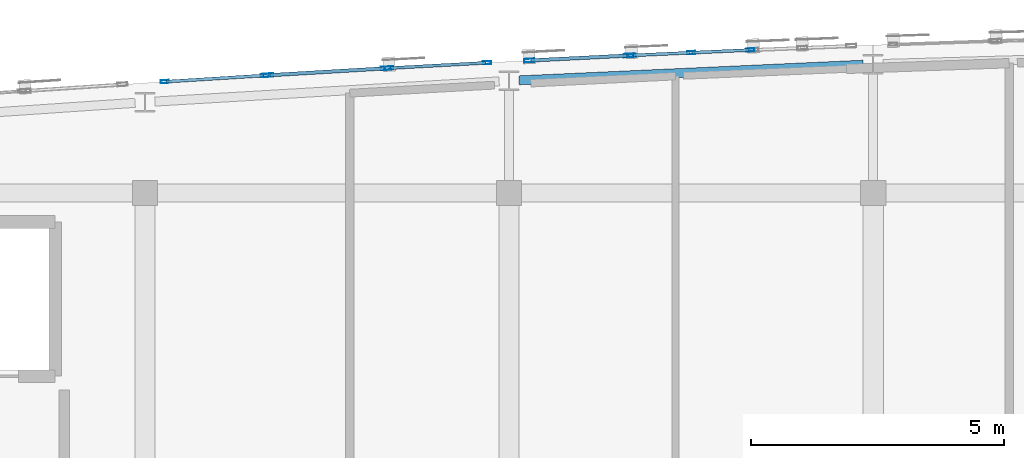
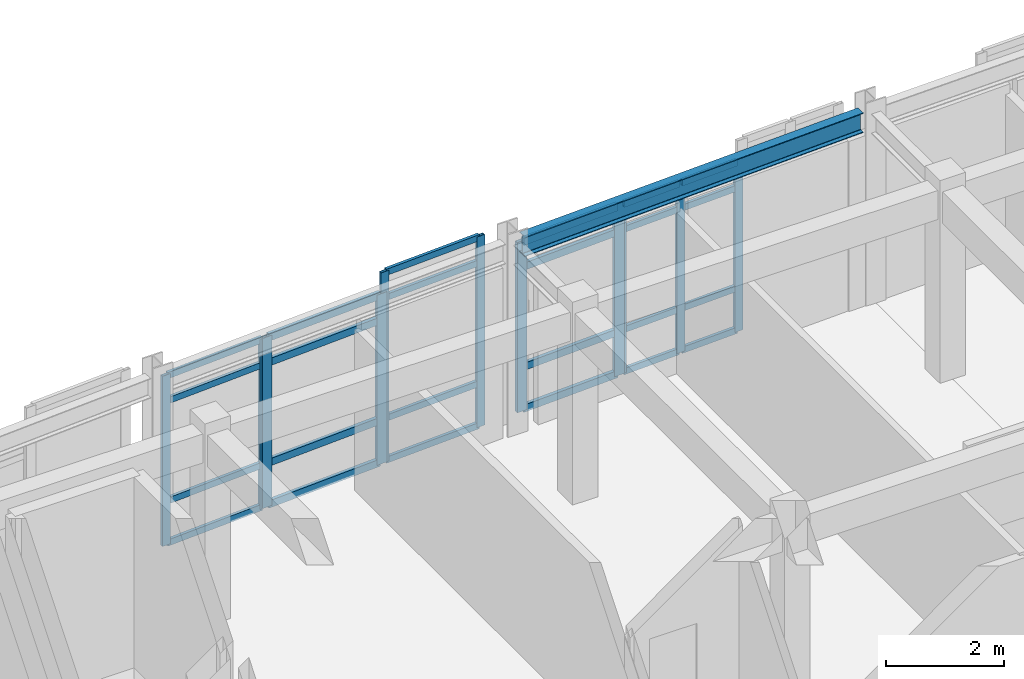
# One storey, part 9 of 24: 35 members, 1 beam, 5 elements without a shape of their own.
"""IFC4 building model written with IfcOpenShell, lengths in metres."""

import ifcopenshell
import ifcopenshell.guid

model = None  # the IFC model being written
_history = None  # IfcOwnerHistory: only IFC2X3 demands one
_inside = {}  # id of a spatial element -> (the spatial element, [elements in it])
_under = {}  # id of a project, library or spatial element -> (it, [spatial elements below it])
_declared = {}  # id of a project -> (the project, [libraries it declares])
_typed = {}  # id of a type object -> (the type object, [elements of that type])
_made_of = {}  # id of a material, layer set ... -> (it, [elements and type objects made of it])


def new_model(schema):
    """Start an empty IFC model of exactly this schema.

    Asked for "IFC4X3", IfcOpenShell would pick the latest addendum, in which some entities
    have other attributes; the version numbers below select the first issue.
    IFC2X3 requires an IfcOwnerHistory on every rooted entity: one is made here for all.
    """
    global model, _history
    if schema == "IFC4X3":
        model = ifcopenshell.file(schema_version=(4, 3, 0, 0))
    else:
        model = ifcopenshell.file(schema=schema)
    _inside.clear()
    _under.clear()
    _declared.clear()
    _typed.clear()
    _made_of.clear()
    _history = None
    if model.schema == "IFC2X3":
        org = make("IfcOrganization", Name="unknown")
        user = make(
            "IfcPersonAndOrganization",
            ThePerson=make("IfcPerson", FamilyName="unknown"),
            TheOrganization=org,
        )
        app = make(
            "IfcApplication",
            ApplicationDeveloper=org,
            Version="unknown",
            ApplicationFullName="unknown",
            ApplicationIdentifier="unknown",
        )
        _history = make(
            "IfcOwnerHistory",
            OwningUser=user,
            OwningApplication=app,
            ChangeAction="ADDED",
            CreationDate=0,
        )
    return model


def make(cls, **values):
    """One entity of the class cls with the attributes given. An attribute that is None is left unset."""
    return model.create_entity(
        cls, **{name: value for name, value in values.items() if value is not None}
    )


def rooted(cls, **values):
    """An entity with a GlobalId (a new one), such as an element, a storey or a relation."""
    return make(cls, GlobalId=ifcopenshell.guid.new(), OwnerHistory=_history, **values)


def si_unit(unit_type, name, prefix=None):
    """IfcSIUnit, for example si_unit("LENGTHUNIT", "METRE", prefix="MILLI")."""
    return make("IfcSIUnit", UnitType=unit_type, Prefix=prefix, Name=name)


def assignment(units):
    """IfcUnitAssignment: the units of a project."""
    return None if units is None else make("IfcUnitAssignment", Units=units)


def point(xyz):
    """IfcCartesianPoint."""
    return None if xyz is None else make("IfcCartesianPoint", Coordinates=xyz)


def direction(xyz):
    """IfcDirection."""
    return None if xyz is None else make("IfcDirection", DirectionRatios=xyz)


def frame(location, z_axis=None, x_axis=None):
    """IfcAxis2Placement3D, a coordinate frame: its origin and axes. An axis left out is left unset."""
    return make(
        "IfcAxis2Placement3D",
        Location=point(location),
        Axis=direction(z_axis),
        RefDirection=direction(x_axis),
    )


def frame_2d(location, x_axis=None):
    """IfcAxis2Placement2D, a coordinate frame in the plane: its origin and x axis."""
    return make(
        "IfcAxis2Placement2D", Location=point(location), RefDirection=direction(x_axis)
    )


def origin():
    """The frame at (0, 0, 0) with its axes left unset."""
    return frame((0.0, 0.0, 0.0))


def origin_2d():
    """The frame at (0, 0) in the plane with its x axis left unset."""
    return frame_2d((0.0, 0.0))


def place(relative_to, where):
    """IfcLocalPlacement: puts the frame where relative to a parent placement (None: the world)."""
    return make(
        "IfcLocalPlacement", PlacementRelTo=relative_to, RelativePlacement=where
    )


def context(
    kind, dimensions, precision=None, world=None, true_north=None, identifier=None
):
    """IfcGeometricRepresentationContext, for example the 3D "Model" context."""
    return make(
        "IfcGeometricRepresentationContext",
        ContextIdentifier=identifier,
        ContextType=kind,
        CoordinateSpaceDimension=dimensions,
        Precision=precision,
        WorldCoordinateSystem=world,
        TrueNorth=true_north,
    )


def subcontext(parent, identifier, kind, view, scale=None):
    """IfcGeometricRepresentationSubContext, for example "Body" below "Model"."""
    return make(
        "IfcGeometricRepresentationSubContext",
        ContextIdentifier=identifier,
        ContextType=kind,
        ParentContext=parent,
        TargetScale=scale,
        TargetView=view,
    )


def project(units=None, contexts=None):
    """IfcProject with its units and contexts."""
    return rooted(
        "IfcProject",
        Name="project",
        RepresentationContexts=contexts,
        UnitsInContext=assignment(units),
    )


def spatial(cls, under=None, at=None, **own):
    """A site, building, storey or space (cls), placed at a placement, below another one or the project."""
    s = rooted(cls, ObjectPlacement=at, **own)
    if under is not None:
        _under.setdefault(under.id(), (under, []))[1].append(s)
    return s


def profile(cls, at=None, kind="AREA", **sizes):
    """A parametric profile (cls). Its sizes go by their IFC names, for example OverallWidth=200.0."""
    return make(cls, ProfileType=kind, Position=at, **sizes)


def hollow_rectangle(**sizes):
    """IfcRectangleHollowProfileDef."""
    return profile("IfcRectangleHollowProfileDef", **sizes)


def i_section(**sizes):
    """IfcIShapeProfileDef."""
    return profile("IfcIShapeProfileDef", **sizes)


def extrude(swept, where, along, depth):
    """IfcExtrudedAreaSolid: the profile swept, set in the frame where, extruded along a direction by depth."""
    return make(
        "IfcExtrudedAreaSolid",
        SweptArea=swept,
        Position=where,
        ExtrudedDirection=direction(along),
        Depth=depth,
    )


def shape(context_of_items, identifier, shape_type, items):
    """IfcShapeRepresentation: the items that make up one representation, for example the "Body"."""
    return make(
        "IfcShapeRepresentation",
        ContextOfItems=context_of_items,
        RepresentationIdentifier=identifier,
        RepresentationType=shape_type,
        Items=items,
    )


def material(Name=None, Category=None):
    """IfcMaterial."""
    return make("IfcMaterial", Name=Name, Category=Category)


def layer(
    of_material, thickness, ventilated=None, Name=None, Category=None, Priority=None
):
    """IfcMaterialLayer: one layer of a wall or slab, of a material (None: an air gap)."""
    return make(
        "IfcMaterialLayer",
        Material=of_material,
        LayerThickness=thickness,
        IsVentilated=ventilated,
        Name=Name,
        Category=Category,
        Priority=Priority,
    )


def layer_set(layers, Name=None):
    """IfcMaterialLayerSet."""
    return make("IfcMaterialLayerSet", MaterialLayers=layers, LayerSetName=Name)


def material_profile(
    of_material, cross_section, Name=None, Category=None, Priority=None
):
    """IfcMaterialProfile: a cross section and its material."""
    return make(
        "IfcMaterialProfile",
        Name=Name,
        Material=of_material,
        Profile=cross_section,
        Priority=Priority,
        Category=Category,
    )


def profile_set(profiles, Name=None, composite=None):
    """IfcMaterialProfileSet."""
    return make(
        "IfcMaterialProfileSet",
        Name=Name,
        MaterialProfiles=profiles,
        CompositeProfile=composite,
    )


def made_of(thing, what):
    """Note that an element or type object is made of a material, layer set ...; save() writes the relation."""
    if what is not None:
        _made_of.setdefault(what.id(), (what, []))[1].append(thing)
    return thing


def type_object(cls, material=None, **own):
    """A type object (cls), such as IfcWallType, which elements share."""
    return made_of(rooted(cls, **own), material)


def element(
    cls,
    number,
    at=None,
    inside=None,
    cuts=None,
    type_object=None,
    material=None,
    context=None,
    identifier="Body",
    shape_type=None,
    held_by="IfcProductDefinitionShape",
    body=None,
    shapes=None,
    **own,
):
    """One element of the class cls, such as IfcWall. Its Tag is "e" and its number.

    at: its placement. inside: the storey or other place that contains it. cuts: it is an
    opening in that element (IfcRelVoidsElement). A single representation is given by context,
    identifier, shape_type and body (its items); several are given by shapes. held_by: the class
    of the entity that holds the representations. save() writes the other relations.
    """
    e = rooted(cls, Tag="e%d" % number, ObjectPlacement=at, **own)
    if body is not None:
        shapes = [shape(context, identifier, shape_type, body)]
    if shapes is not None:
        e.Representation = make(held_by, Representations=shapes)
    if inside is not None:
        _inside.setdefault(inside.id(), (inside, []))[1].append(e)
    if cuts is not None:
        rooted(
            "IfcRelVoidsElement", RelatingBuildingElement=cuts, RelatedOpeningElement=e
        )
    if type_object is not None:
        _typed.setdefault(type_object.id(), (type_object, []))[1].append(e)
    return made_of(e, material)


def aggregate(whole, parts):
    """IfcRelAggregates: a whole, such as a stair, and the parts it consists of."""
    return rooted("IfcRelAggregates", RelatingObject=whole, RelatedObjects=parts)


def save(model, path):
    """Write the relations noted so far, then the file.

    IfcRelAggregates (storeys below a building ...), IfcRelContainedInSpatialStructure (elements
    in a storey), IfcRelDefinesByType, IfcRelAssociatesMaterial and IfcRelDeclares: one each for
    every whole, place, type object, material and project.
    """
    for whole, parts in _under.values():
        aggregate(whole, parts)
    for where, things in _inside.values():
        rooted(
            "IfcRelContainedInSpatialStructure",
            RelatedElements=things,
            RelatingStructure=where,
        )
    for kind, things in _typed.values():
        rooted("IfcRelDefinesByType", RelatedObjects=things, RelatingType=kind)
    for what, things in _made_of.values():
        rooted("IfcRelAssociatesMaterial", RelatedObjects=things, RelatingMaterial=what)
    for by, libraries in _declared.values():
        rooted("IfcRelDeclares", RelatingContext=by, RelatedDefinitions=libraries)
    model.write(path)


model = new_model("IFC4")

# Units and contexts
model_context = context("Model", 3, precision=1e-05, world=origin(), true_north=direction((0.0, 1.0)))
body_context = subcontext(model_context, "Body", "Model", "MODEL_VIEW")
ifc_project = project(units=[si_unit("LENGTHUNIT", "METRE"), si_unit("AREAUNIT", "SQUARE_METRE"), si_unit("VOLUMEUNIT", "CUBIC_METRE"), si_unit("PLANEANGLEUNIT", "RADIAN"), si_unit("MASSUNIT", "GRAM", prefix="KILO")], contexts=[model_context])

# Site, building, storey
site_placement = place(None, origin())
site = spatial("IfcSite", under=ifc_project, at=site_placement, CompositionType="ELEMENT")
building_placement = place(site_placement, origin())
building = spatial("IfcBuilding", under=site, at=building_placement, Name="Carrowvane Square Congress Hotel", CompositionType="ELEMENT")
storey_placement = place(building_placement, frame((0.0, 0.0, 44.39990234375)))
storey = spatial("IfcBuildingStorey", under=building, at=storey_placement, Name="L11", CompositionType="ELEMENT", Elevation=44.39990234375)

# Beam
ifc_material_1 = material(Name="Steel S355", Category="steel")
ifc_material_profile_1 = material_profile(ifc_material_1, i_section(OverallWidth=0.1787109375, OverallDepth=0.409423828125, WebThickness=0.0087890625, FlangeThickness=0.014404296875, FilletRadius=0.01025390625, at=origin_2d()), Name="UKB 406x178x67")
ifc_profile_set_1 = profile_set([ifc_material_profile_1], Name="Steel S355")
beam_type = type_object("IfcBeamType", Name="BM-ST-UKB406", PredefinedType="BEAM", material=ifc_profile_set_1)
beam_placement = place(storey_placement, frame((76.59716796875, 115.62646484375, 3.745361328125), z_axis=(0.99897355857, 0.045297122185, 0.0), x_axis=(-0.045297122185, 0.99897355857, 0.0)))
element("IfcBeam", 1, at=beam_placement, inside=storey, type_object=beam_type, Name="RF curved north spandrel", PredefinedType="BEAM", context=body_context, shape_type="SweptSolid", body=[
    extrude(i_section(OverallWidth=0.1787109375, OverallDepth=0.409423828125, WebThickness=0.0087890625, FlangeThickness=0.014404296875, FilletRadius=0.01025390625, at=origin_2d()), origin(), (0.0, 0.0, 1.0), 6.812744140625),
])

# Curtain wall, members
ifc_material_2 = material(Name="Anodised aluminium", Category="aluminium")
ifc_layer_1 = layer(ifc_material_2, 0.18603515625)
ifc_layer_set_1 = layer_set([ifc_layer_1], Name="Anodised aluminium")
curtain_wall_type_1 = type_object("IfcCurtainWallType", Name="CW-SYS-3", PredefinedType="NOTDEFINED", material=ifc_layer_set_1)
curtain_wall_1_placement = place(storey_placement, origin())
curtain_wall_1 = element("IfcCurtainWall", 2, at=curtain_wall_1_placement, inside=storey, type_object=curtain_wall_type_1, Name="L11 unitised curtain wall 594", PredefinedType="NOTDEFINED")
ifc_material_3 = material(Name="Anodised aluminium", Category="aluminium")
ifc_material_profile_2 = material_profile(ifc_material_3, hollow_rectangle(XDim=0.06005859375, YDim=0.159912109375, WallThickness=0.00390625, at=origin_2d()), Name="CW-ML 60x160x4")
ifc_profile_set_2 = profile_set([ifc_material_profile_2], Name="Anodised aluminium")
member_type_1 = type_object("IfcMemberType", Name="CW-MUL-1", PredefinedType="MULLION", material=ifc_profile_set_2)
member_1_placement = place(storey_placement, frame((69.58984375, 115.5986328125, 0.0), z_axis=(0.0, 0.0, 1.0), x_axis=(-0.062397474952, 0.998051378998, 0.0)))
member_1 = element("IfcMember", 3, at=member_1_placement, type_object=member_type_1, Name="CW-3 mullion 1", PredefinedType="MULLION", context=body_context, shape_type="SweptSolid", body=[
    extrude(hollow_rectangle(XDim=0.06005859375, YDim=0.159912109375, WallThickness=0.00390625, at=origin_2d()), origin(), (0.0, 0.0, 1.0), 3.525634765625),
])
member_2_placement = place(storey_placement, frame((71.570068359375, 115.722412109375, 0.0), z_axis=(0.0, 0.0, 1.0), x_axis=(-0.062397474952, 0.998051378998, 0.0)))
member_2 = element("IfcMember", 4, at=member_2_placement, type_object=member_type_1, Name="CW-3 mullion 2", PredefinedType="MULLION", context=body_context, shape_type="SweptSolid", body=[
    extrude(hollow_rectangle(XDim=0.06005859375, YDim=0.159912109375, WallThickness=0.00390625, at=origin_2d()), origin(), (0.0, 0.0, 1.0), 3.525634765625),
])

ifc_material_4 = material(Name="Anodised aluminium", Category="aluminium")
ifc_layer_2 = layer(ifc_material_4, 0.2099609375)
ifc_layer_set_2 = layer_set([ifc_layer_2], Name="Anodised aluminium")
curtain_wall_type_2 = type_object("IfcCurtainWallType", Name="CW-SYS-5", PredefinedType="NOTDEFINED", material=ifc_layer_set_2)
curtain_wall_2_placement = place(storey_placement, origin())
curtain_wall_2 = element("IfcCurtainWall", 5, at=curtain_wall_2_placement, inside=storey, type_object=curtain_wall_type_2, Name="L11 unitised curtain wall 596", PredefinedType="NOTDEFINED")
member_3_placement = place(storey_placement, frame((74.030029296875, 115.867431640625, 0.0), z_axis=(0.0, 0.0, 1.0), x_axis=(-0.054815980317, 0.998496473856, 0.0)))
member_3 = element("IfcMember", 6, at=member_3_placement, type_object=member_type_1, Name="CW-5 mullion 1", PredefinedType="MULLION", context=body_context, shape_type="SweptSolid", body=[
    extrude(hollow_rectangle(XDim=0.06005859375, YDim=0.159912109375, WallThickness=0.00390625, at=origin_2d()), origin(), (0.0, 0.0, 1.0), 3.9501953125),
])
member_4_placement = place(storey_placement, frame((75.965576171875, 115.9736328125, 0.0), z_axis=(0.0, 0.0, 1.0), x_axis=(-0.054815980317, 0.998496473856, 0.0)))
member_4 = element("IfcMember", 7, at=member_4_placement, type_object=member_type_1, Name="CW-5 mullion 2", PredefinedType="MULLION", context=body_context, shape_type="SweptSolid", body=[
    extrude(hollow_rectangle(XDim=0.06005859375, YDim=0.159912109375, WallThickness=0.00390625, at=origin_2d()), origin(), (0.0, 0.0, 1.0), 3.9501953125),
])

ifc_material_5 = material(Name="Anodised aluminium", Category="aluminium")
ifc_layer_3 = layer(ifc_material_5, 0.23388671875)
ifc_layer_set_3 = layer_set([ifc_layer_3], Name="Anodised aluminium")
curtain_wall_type_3 = type_object("IfcCurtainWallType", Name="CW-SYS-7", PredefinedType="NOTDEFINED", material=ifc_layer_set_3)
curtain_wall_3_placement = place(storey_placement, origin())
curtain_wall_3 = element("IfcCurtainWall", 8, at=curtain_wall_3_placement, inside=storey, type_object=curtain_wall_type_3, Name="L11 unitised curtain wall 598", PredefinedType="NOTDEFINED")
member_5_placement = place(storey_placement, frame((78.830078125, 116.119873046875, 0.0), z_axis=(0.0, 0.0, 1.0), x_axis=(-0.045411059449, 0.998968385726, 0.0)))
member_5 = element("IfcMember", 9, at=member_5_placement, type_object=member_type_1, Name="CW-7 mullion 1", PredefinedType="MULLION", context=body_context, shape_type="SweptSolid", body=[
    extrude(hollow_rectangle(XDim=0.06005859375, YDim=0.159912109375, WallThickness=0.00390625, at=origin_2d()), origin(), (0.0, 0.0, 1.0), 3.525634765625),
])
member_6_placement = place(storey_placement, frame((80.0, 116.173095703125, 0.0), z_axis=(0.0, 0.0, 1.0), x_axis=(-0.045411059449, 0.998968385726, 0.0)))
member_6 = element("IfcMember", 10, at=member_6_placement, type_object=member_type_1, Name="CW-7 mullion 2", PredefinedType="MULLION", context=body_context, shape_type="SweptSolid", body=[
    extrude(hollow_rectangle(XDim=0.06005859375, YDim=0.159912109375, WallThickness=0.00390625, at=origin_2d()), origin(), (0.0, 0.0, 1.0), 3.525634765625),
])
member_7_placement = place(storey_placement, frame((81.170166015625, 116.226318359375, 0.0), z_axis=(0.0, 0.0, 1.0), x_axis=(-0.045411059449, 0.998968385726, 0.0)))
member_7 = element("IfcMember", 11, at=member_7_placement, type_object=member_type_1, Name="CW-7 mullion 3", PredefinedType="MULLION", context=body_context, shape_type="SweptSolid", body=[
    extrude(hollow_rectangle(XDim=0.06005859375, YDim=0.159912109375, WallThickness=0.00390625, at=origin_2d()), origin(), (0.0, 0.0, 1.0), 3.525634765625),
])

ifc_material_6 = material(Name="Anodised aluminium", Category="aluminium")
ifc_layer_4 = layer(ifc_material_6, 0.197998046875)
ifc_layer_set_4 = layer_set([ifc_layer_4], Name="Anodised aluminium")
curtain_wall_type_4 = type_object("IfcCurtainWallType", Name="CW-SYS-4", PredefinedType="NOTDEFINED", material=ifc_layer_set_4)
curtain_wall_4_placement = place(storey_placement, origin())
curtain_wall_4 = element("IfcCurtainWall", 12, at=curtain_wall_4_placement, inside=storey, type_object=curtain_wall_type_4, Name="L11 unitised curtain wall 595", PredefinedType="NOTDEFINED")
ifc_material_7 = material(Name="Anodised aluminium", Category="aluminium")
ifc_material_profile_3 = material_profile(ifc_material_7, hollow_rectangle(XDim=0.070068359375, YDim=0.199951171875, WallThickness=0.0048828125, at=origin_2d()), Name="CW-ML 70x200x5")
ifc_profile_set_3 = profile_set([ifc_material_profile_3], Name="Anodised aluminium")
member_type_2 = type_object("IfcMemberType", Name="CW-MUL-2", PredefinedType="MULLION", material=ifc_profile_set_3)
member_8_placement = place(storey_placement, frame((71.635009765625, 115.726318359375, 0.0), z_axis=(0.0, 0.0, 1.0), x_axis=(-0.058851249486, 0.998266763162, 0.0)))
member_8 = element("IfcMember", 13, at=member_8_placement, type_object=member_type_2, Name="CW-4 mullion 1", PredefinedType="MULLION", context=body_context, shape_type="SweptSolid", body=[
    extrude(hollow_rectangle(XDim=0.070068359375, YDim=0.199951171875, WallThickness=0.0048828125, at=origin_2d()), origin(), (0.0, 0.0, 1.0), 3.525634765625),
])
member_9_placement = place(storey_placement, frame((73.965087890625, 115.86376953125, 0.0), z_axis=(0.0, 0.0, 1.0), x_axis=(-0.058851249486, 0.998266763162, 0.0)))
member_9 = element("IfcMember", 14, at=member_9_placement, type_object=member_type_2, Name="CW-4 mullion 2", PredefinedType="MULLION", context=body_context, shape_type="SweptSolid", body=[
    extrude(hollow_rectangle(XDim=0.070068359375, YDim=0.199951171875, WallThickness=0.0048828125, at=origin_2d()), origin(), (0.0, 0.0, 1.0), 3.525634765625),
])

ifc_material_8 = material(Name="Anodised aluminium", Category="aluminium")
ifc_layer_5 = layer(ifc_material_8, 0.221923828125)
ifc_layer_set_5 = layer_set([ifc_layer_5], Name="Anodised aluminium")
curtain_wall_type_5 = type_object("IfcCurtainWallType", Name="CW-SYS-6", PredefinedType="NOTDEFINED", material=ifc_layer_set_5)
curtain_wall_5_placement = place(storey_placement, origin())
curtain_wall_5 = element("IfcCurtainWall", 15, at=curtain_wall_5_placement, inside=storey, type_object=curtain_wall_type_5, Name="L11 unitised curtain wall 597", PredefinedType="NOTDEFINED")
member_10_placement = place(storey_placement, frame((76.799560546875, 116.017822265625, 0.0), z_axis=(0.0, 0.0, 1.0), x_axis=(-0.050323791596, 0.998732955299, 0.0)))
member_10 = element("IfcMember", 16, at=member_10_placement, type_object=member_type_2, Name="CW-6 mullion 1", PredefinedType="MULLION", context=body_context, shape_type="SweptSolid", body=[
    extrude(hollow_rectangle(XDim=0.070068359375, YDim=0.199951171875, WallThickness=0.0048828125, at=origin_2d()), origin(), (0.0, 0.0, 1.0), 3.525634765625),
])
member_11_placement = place(storey_placement, frame((78.764892578125, 116.11669921875, 0.0), z_axis=(0.0, 0.0, 1.0), x_axis=(-0.050323791596, 0.998732955299, 0.0)))
member_11 = element("IfcMember", 17, at=member_11_placement, type_object=member_type_2, Name="CW-6 mullion 2", PredefinedType="MULLION", context=body_context, shape_type="SweptSolid", body=[
    extrude(hollow_rectangle(XDim=0.070068359375, YDim=0.199951171875, WallThickness=0.0048828125, at=origin_2d()), origin(), (0.0, 0.0, 1.0), 3.525634765625),
])

# Member
ifc_material_9 = material(Name="Anodised aluminium", Category="aluminium")
ifc_material_profile_4 = material_profile(ifc_material_9, hollow_rectangle(XDim=0.06005859375, YDim=0.1298828125, WallThickness=0.00390625, at=origin_2d()), Name="CW-TR 60x130x4")
ifc_profile_set_4 = profile_set([ifc_material_profile_4], Name="Anodised aluminium")
member_type_3 = type_object("IfcMemberType", Name="CW-TRN-1", PredefinedType="USERDEFINED", material=ifc_profile_set_4)
member_12_placement = place(storey_placement, frame((69.619873046875, 115.6005859375, 0.030029296875), z_axis=(0.998049120598, 0.062433587709, 0.0), x_axis=(-0.062433587709, 0.998049120598, 0.0)))
member_12 = element("IfcMember", 18, at=member_12_placement, type_object=member_type_3, Name="CW-3 transom 1.1", ObjectType="TRANSOM", PredefinedType="USERDEFINED", context=body_context, shape_type="SweptSolid", body=[
    extrude(hollow_rectangle(XDim=0.06005859375, YDim=0.1298828125, WallThickness=0.00390625, at=origin_2d()), origin(), (0.0, 0.0, 1.0), 1.923828125),
])

member_13_placement = place(storey_placement, frame((69.619873046875, 115.6005859375, 0.900146484375), z_axis=(0.998049120598, 0.062433587709, 0.0), x_axis=(-0.062433587709, 0.998049120598, 0.0)))
member_13 = element("IfcMember", 19, at=member_13_placement, type_object=member_type_3, Name="CW-3 transom 1.2", ObjectType="TRANSOM", PredefinedType="USERDEFINED", context=body_context, shape_type="SweptSolid", body=[
    extrude(hollow_rectangle(XDim=0.06005859375, YDim=0.1298828125, WallThickness=0.00390625, at=origin_2d()), origin(), (0.0, 0.0, 1.0), 1.923828125),
])

member_14_placement = place(storey_placement, frame((69.619873046875, 115.6005859375, 2.9755859375), z_axis=(0.998049120598, 0.062433587709, 0.0), x_axis=(-0.062433587709, 0.998049120598, 0.0)))
member_14 = element("IfcMember", 20, at=member_14_placement, type_object=member_type_3, Name="CW-3 transom 1.3", ObjectType="TRANSOM", PredefinedType="USERDEFINED", context=body_context, shape_type="SweptSolid", body=[
    extrude(hollow_rectangle(XDim=0.06005859375, YDim=0.1298828125, WallThickness=0.00390625, at=origin_2d()), origin(), (0.0, 0.0, 1.0), 1.923828125),
])

member_15_placement = place(storey_placement, frame((69.619873046875, 115.6005859375, 3.49560546875), z_axis=(0.998049120598, 0.062433587709, 0.0), x_axis=(-0.062433587709, 0.998049120598, 0.0)))
member_15 = element("IfcMember", 21, at=member_15_placement, type_object=member_type_3, Name="CW-3 transom 1.4", ObjectType="TRANSOM", PredefinedType="USERDEFINED", context=body_context, shape_type="SweptSolid", body=[
    extrude(hollow_rectangle(XDim=0.06005859375, YDim=0.1298828125, WallThickness=0.00390625, at=origin_2d()), origin(), (0.0, 0.0, 1.0), 1.923828125),
])

aggregate(curtain_wall_1, [member_1, member_2, member_12, member_13, member_14, member_15])

member_16_placement = place(storey_placement, frame((74.059814453125, 115.869140625, 0.030029296875), z_axis=(0.99849494655, 0.054843793758, 0.0), x_axis=(-0.054843793758, 0.99849494655, 0.0)))
member_16 = element("IfcMember", 22, at=member_16_placement, type_object=member_type_3, Name="CW-5 transom 1.1", ObjectType="TRANSOM", PredefinedType="USERDEFINED", context=body_context, shape_type="SweptSolid", body=[
    extrude(hollow_rectangle(XDim=0.06005859375, YDim=0.1298828125, WallThickness=0.00390625, at=origin_2d()), origin(), (0.0, 0.0, 1.0), 1.878662109375),
])

member_17_placement = place(storey_placement, frame((74.059814453125, 115.869140625, 0.900146484375), z_axis=(0.99849494655, 0.054843793758, 0.0), x_axis=(-0.054843793758, 0.99849494655, 0.0)))
member_17 = element("IfcMember", 23, at=member_17_placement, type_object=member_type_3, Name="CW-5 transom 1.2", ObjectType="TRANSOM", PredefinedType="USERDEFINED", context=body_context, shape_type="SweptSolid", body=[
    extrude(hollow_rectangle(XDim=0.06005859375, YDim=0.1298828125, WallThickness=0.00390625, at=origin_2d()), origin(), (0.0, 0.0, 1.0), 1.878662109375),
])

member_18_placement = place(storey_placement, frame((74.059814453125, 115.869140625, 3.400146484375), z_axis=(0.99849494655, 0.054843793758, 0.0), x_axis=(-0.054843793758, 0.99849494655, 0.0)))
member_18 = element("IfcMember", 24, at=member_18_placement, type_object=member_type_3, Name="CW-5 transom 1.3", ObjectType="TRANSOM", PredefinedType="USERDEFINED", context=body_context, shape_type="SweptSolid", body=[
    extrude(hollow_rectangle(XDim=0.06005859375, YDim=0.1298828125, WallThickness=0.00390625, at=origin_2d()), origin(), (0.0, 0.0, 1.0), 1.878662109375),
])

member_19_placement = place(storey_placement, frame((74.059814453125, 115.869140625, 3.920166015625), z_axis=(0.99849494655, 0.054843793758, 0.0), x_axis=(-0.054843793758, 0.99849494655, 0.0)))
member_19 = element("IfcMember", 25, at=member_19_placement, type_object=member_type_3, Name="CW-5 transom 1.4", ObjectType="TRANSOM", PredefinedType="USERDEFINED", context=body_context, shape_type="SweptSolid", body=[
    extrude(hollow_rectangle(XDim=0.06005859375, YDim=0.1298828125, WallThickness=0.00390625, at=origin_2d()), origin(), (0.0, 0.0, 1.0), 1.878662109375),
])

aggregate(curtain_wall_2, [member_3, member_4, member_16, member_17, member_18, member_19])

member_20_placement = place(storey_placement, frame((78.85986328125, 116.121337890625, 0.030029296875), z_axis=(0.998975323867, 0.045258173899, 0.0), x_axis=(-0.045258173899, 0.998975323867, 0.0)))
member_20 = element("IfcMember", 26, at=member_20_placement, type_object=member_type_3, Name="CW-7 transom 1.1", ObjectType="TRANSOM", PredefinedType="USERDEFINED", context=body_context, shape_type="SweptSolid", body=[
    extrude(hollow_rectangle(XDim=0.06005859375, YDim=0.1298828125, WallThickness=0.00390625, at=origin_2d()), origin(), (0.0, 0.0, 1.0), 1.111328125),
])

member_21_placement = place(storey_placement, frame((78.85986328125, 116.121337890625, 0.900146484375), z_axis=(0.998975323867, 0.045258173899, 0.0), x_axis=(-0.045258173899, 0.998975323867, 0.0)))
member_21 = element("IfcMember", 27, at=member_21_placement, type_object=member_type_3, Name="CW-7 transom 1.2", ObjectType="TRANSOM", PredefinedType="USERDEFINED", context=body_context, shape_type="SweptSolid", body=[
    extrude(hollow_rectangle(XDim=0.06005859375, YDim=0.1298828125, WallThickness=0.00390625, at=origin_2d()), origin(), (0.0, 0.0, 1.0), 1.111328125),
])

member_22_placement = place(storey_placement, frame((78.85986328125, 116.121337890625, 2.9755859375), z_axis=(0.998975323867, 0.045258173899, 0.0), x_axis=(-0.045258173899, 0.998975323867, 0.0)))
member_22 = element("IfcMember", 28, at=member_22_placement, type_object=member_type_3, Name="CW-7 transom 1.3", ObjectType="TRANSOM", PredefinedType="USERDEFINED", context=body_context, shape_type="SweptSolid", body=[
    extrude(hollow_rectangle(XDim=0.06005859375, YDim=0.1298828125, WallThickness=0.00390625, at=origin_2d()), origin(), (0.0, 0.0, 1.0), 1.111328125),
])

member_23_placement = place(storey_placement, frame((78.85986328125, 116.121337890625, 3.49560546875), z_axis=(0.998975323867, 0.045258173899, 0.0), x_axis=(-0.045258173899, 0.998975323867, 0.0)))
member_23 = element("IfcMember", 29, at=member_23_placement, type_object=member_type_3, Name="CW-7 transom 1.4", ObjectType="TRANSOM", PredefinedType="USERDEFINED", context=body_context, shape_type="SweptSolid", body=[
    extrude(hollow_rectangle(XDim=0.06005859375, YDim=0.1298828125, WallThickness=0.00390625, at=origin_2d()), origin(), (0.0, 0.0, 1.0), 1.111328125),
])

member_24_placement = place(storey_placement, frame((80.030029296875, 116.17431640625, 0.030029296875), z_axis=(0.99896536688, 0.045477420485, 0.0), x_axis=(-0.045477420485, 0.99896536688, 0.0)))
member_24 = element("IfcMember", 30, at=member_24_placement, type_object=member_type_3, Name="CW-7 transom 2.1", ObjectType="TRANSOM", PredefinedType="USERDEFINED", context=body_context, shape_type="SweptSolid", body=[
    extrude(hollow_rectangle(XDim=0.06005859375, YDim=0.1298828125, WallThickness=0.00390625, at=origin_2d()), origin(), (0.0, 0.0, 1.0), 1.111328125),
])

member_25_placement = place(storey_placement, frame((80.030029296875, 116.17431640625, 0.900146484375), z_axis=(0.99896536688, 0.045477420485, 0.0), x_axis=(-0.045477420485, 0.99896536688, 0.0)))
member_25 = element("IfcMember", 31, at=member_25_placement, type_object=member_type_3, Name="CW-7 transom 2.2", ObjectType="TRANSOM", PredefinedType="USERDEFINED", context=body_context, shape_type="SweptSolid", body=[
    extrude(hollow_rectangle(XDim=0.06005859375, YDim=0.1298828125, WallThickness=0.00390625, at=origin_2d()), origin(), (0.0, 0.0, 1.0), 1.111328125),
])

member_26_placement = place(storey_placement, frame((80.030029296875, 116.17431640625, 2.9755859375), z_axis=(0.99896536688, 0.045477420485, 0.0), x_axis=(-0.045477420485, 0.99896536688, 0.0)))
member_26 = element("IfcMember", 32, at=member_26_placement, type_object=member_type_3, Name="CW-7 transom 2.3", ObjectType="TRANSOM", PredefinedType="USERDEFINED", context=body_context, shape_type="SweptSolid", body=[
    extrude(hollow_rectangle(XDim=0.06005859375, YDim=0.1298828125, WallThickness=0.00390625, at=origin_2d()), origin(), (0.0, 0.0, 1.0), 1.111328125),
])

member_27_placement = place(storey_placement, frame((80.030029296875, 116.17431640625, 3.49560546875), z_axis=(0.99896536688, 0.045477420485, 0.0), x_axis=(-0.045477420485, 0.99896536688, 0.0)))
member_27 = element("IfcMember", 33, at=member_27_placement, type_object=member_type_3, Name="CW-7 transom 2.4", ObjectType="TRANSOM", PredefinedType="USERDEFINED", context=body_context, shape_type="SweptSolid", body=[
    extrude(hollow_rectangle(XDim=0.06005859375, YDim=0.1298828125, WallThickness=0.00390625, at=origin_2d()), origin(), (0.0, 0.0, 1.0), 1.111328125),
])

aggregate(curtain_wall_3, [member_5, member_6, member_7, member_20, member_21, member_22, member_23, member_24, member_25, member_26, member_27])

ifc_material_10 = material(Name="Anodised aluminium", Category="aluminium")
ifc_material_profile_5 = material_profile(ifc_material_10, hollow_rectangle(XDim=0.070068359375, YDim=0.14990234375, WallThickness=0.0048828125, at=origin_2d()), Name="CW-TR 70x150x5")
ifc_profile_set_5 = profile_set([ifc_material_profile_5], Name="Anodised aluminium")
member_type_4 = type_object("IfcMemberType", Name="CW-TRN-2", PredefinedType="USERDEFINED", material=ifc_profile_set_5)
member_28_placement = place(storey_placement, frame((71.669921875, 115.728515625, 0.03515625), z_axis=(0.998265438007, 0.058873723175, 0.0), x_axis=(-0.058873723175, 0.998265438007, 0.0)))
member_28 = element("IfcMember", 34, at=member_28_placement, type_object=member_type_4, Name="CW-4 transom 1.1", ObjectType="TRANSOM", PredefinedType="USERDEFINED", context=body_context, shape_type="SweptSolid", body=[
    extrude(hollow_rectangle(XDim=0.070068359375, YDim=0.14990234375, WallThickness=0.0048828125, at=origin_2d()), origin(), (0.0, 0.0, 1.0), 2.26416015625),
])

member_29_placement = place(storey_placement, frame((71.669921875, 115.728515625, 0.900146484375), z_axis=(0.998265438007, 0.058873723175, 0.0), x_axis=(-0.058873723175, 0.998265438007, 0.0)))
member_29 = element("IfcMember", 35, at=member_29_placement, type_object=member_type_4, Name="CW-4 transom 1.2", ObjectType="TRANSOM", PredefinedType="USERDEFINED", context=body_context, shape_type="SweptSolid", body=[
    extrude(hollow_rectangle(XDim=0.070068359375, YDim=0.14990234375, WallThickness=0.0048828125, at=origin_2d()), origin(), (0.0, 0.0, 1.0), 2.26416015625),
])

member_30_placement = place(storey_placement, frame((71.669921875, 115.728515625, 2.9755859375), z_axis=(0.998265438007, 0.058873723175, 0.0), x_axis=(-0.058873723175, 0.998265438007, 0.0)))
member_30 = element("IfcMember", 36, at=member_30_placement, type_object=member_type_4, Name="CW-4 transom 1.3", ObjectType="TRANSOM", PredefinedType="USERDEFINED", context=body_context, shape_type="SweptSolid", body=[
    extrude(hollow_rectangle(XDim=0.070068359375, YDim=0.14990234375, WallThickness=0.0048828125, at=origin_2d()), origin(), (0.0, 0.0, 1.0), 2.26416015625),
])

member_31_placement = place(storey_placement, frame((71.669921875, 115.728515625, 3.49072265625), z_axis=(0.998265438007, 0.058873723175, 0.0), x_axis=(-0.058873723175, 0.998265438007, 0.0)))
member_31 = element("IfcMember", 37, at=member_31_placement, type_object=member_type_4, Name="CW-4 transom 1.4", ObjectType="TRANSOM", PredefinedType="USERDEFINED", context=body_context, shape_type="SweptSolid", body=[
    extrude(hollow_rectangle(XDim=0.070068359375, YDim=0.14990234375, WallThickness=0.0048828125, at=origin_2d()), origin(), (0.0, 0.0, 1.0), 2.26416015625),
])

aggregate(curtain_wall_4, [member_8, member_9, member_28, member_29, member_30, member_31])

member_32_placement = place(storey_placement, frame((76.83447265625, 116.01953125, 0.03515625), z_axis=(0.998734310046, 0.050296897891, 0.0), x_axis=(-0.050296897891, 0.998734310046, 0.0)))
member_32 = element("IfcMember", 38, at=member_32_placement, type_object=member_type_4, Name="CW-6 transom 1.1", ObjectType="TRANSOM", PredefinedType="USERDEFINED", context=body_context, shape_type="SweptSolid", body=[
    extrude(hollow_rectangle(XDim=0.070068359375, YDim=0.14990234375, WallThickness=0.0048828125, at=origin_2d()), origin(), (0.0, 0.0, 1.0), 1.89794921875),
])

member_33_placement = place(storey_placement, frame((76.83447265625, 116.01953125, 0.900146484375), z_axis=(0.998734310046, 0.050296897891, 0.0), x_axis=(-0.050296897891, 0.998734310046, 0.0)))
member_33 = element("IfcMember", 39, at=member_33_placement, type_object=member_type_4, Name="CW-6 transom 1.2", ObjectType="TRANSOM", PredefinedType="USERDEFINED", context=body_context, shape_type="SweptSolid", body=[
    extrude(hollow_rectangle(XDim=0.070068359375, YDim=0.14990234375, WallThickness=0.0048828125, at=origin_2d()), origin(), (0.0, 0.0, 1.0), 1.89794921875),
])

member_34_placement = place(storey_placement, frame((76.83447265625, 116.01953125, 2.9755859375), z_axis=(0.998734310046, 0.050296897891, 0.0), x_axis=(-0.050296897891, 0.998734310046, 0.0)))
member_34 = element("IfcMember", 40, at=member_34_placement, type_object=member_type_4, Name="CW-6 transom 1.3", ObjectType="TRANSOM", PredefinedType="USERDEFINED", context=body_context, shape_type="SweptSolid", body=[
    extrude(hollow_rectangle(XDim=0.070068359375, YDim=0.14990234375, WallThickness=0.0048828125, at=origin_2d()), origin(), (0.0, 0.0, 1.0), 1.89794921875),
])

member_35_placement = place(storey_placement, frame((76.83447265625, 116.01953125, 3.49072265625), z_axis=(0.998734310046, 0.050296897891, 0.0), x_axis=(-0.050296897891, 0.998734310046, 0.0)))
member_35 = element("IfcMember", 41, at=member_35_placement, type_object=member_type_4, Name="CW-6 transom 1.4", ObjectType="TRANSOM", PredefinedType="USERDEFINED", context=body_context, shape_type="SweptSolid", body=[
    extrude(hollow_rectangle(XDim=0.070068359375, YDim=0.14990234375, WallThickness=0.0048828125, at=origin_2d()), origin(), (0.0, 0.0, 1.0), 1.89794921875),
])

aggregate(curtain_wall_5, [member_10, member_11, member_32, member_33, member_34, member_35])

save(model, "model.ifc")
